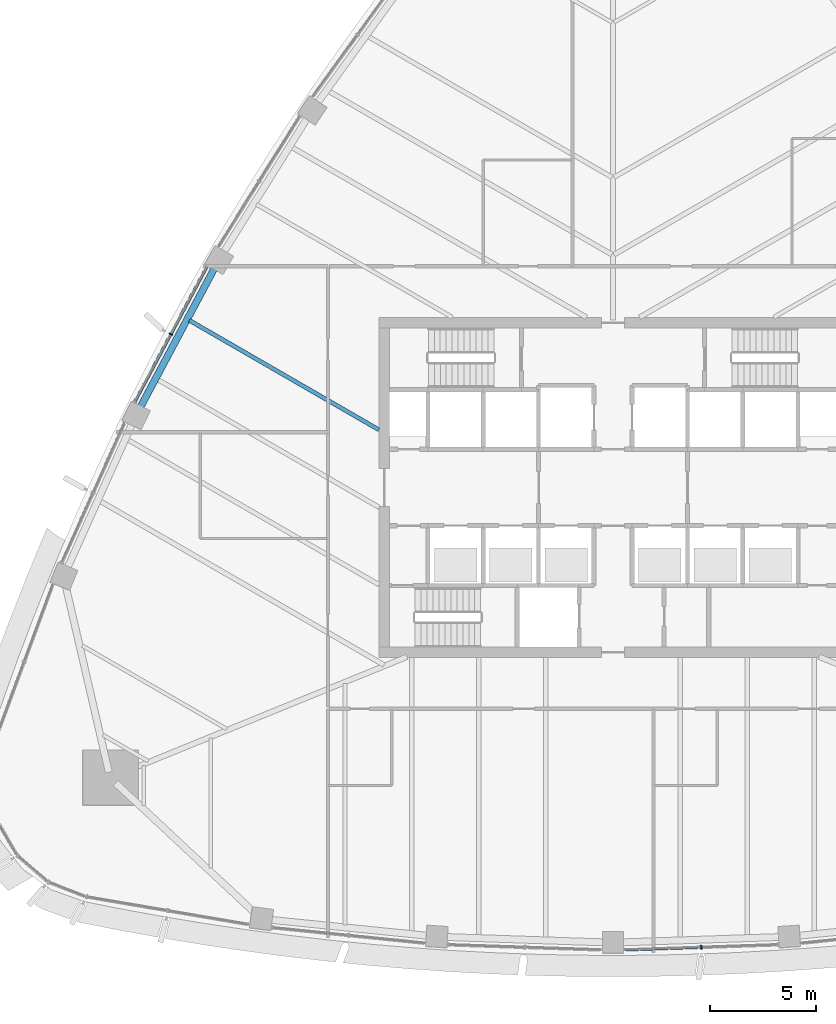
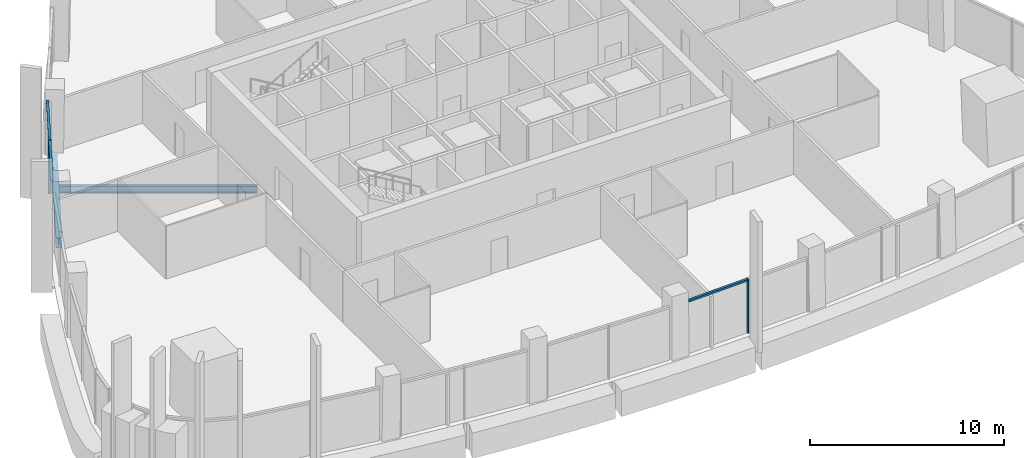
# One storey, part 3 of 19: 5 members, 2 beams, 2 elements without a shape of their own.
"""IFC4 building model written with IfcOpenShell, lengths in metres."""

from ifc_helpers import new_model, si_unit, direction, frame, origin, origin_2d, place, context, subcontext, project, spatial, rectangle, i_section, extrude, material, layer, layer_set, material_profile, profile_set, type_object, element, aggregate, save


model = new_model("IFC4")

# Units and contexts
model_context = context("Model", 3, precision=1e-05, world=origin(), true_north=direction((0.0, 1.0)))
body_context = subcontext(model_context, "Body", "Model", "MODEL_VIEW")
ifc_project = project(units=[si_unit("LENGTHUNIT", "METRE"), si_unit("AREAUNIT", "SQUARE_METRE"), si_unit("VOLUMEUNIT", "CUBIC_METRE"), si_unit("PLANEANGLEUNIT", "RADIAN"), si_unit("MASSUNIT", "GRAM", prefix="KILO")], contexts=[model_context])

# Site, building, storey
site_placement = place(None, origin())
site = spatial("IfcSite", under=ifc_project, at=site_placement, CompositionType="ELEMENT")
building_placement = place(site_placement, origin())
building = spatial("IfcBuilding", under=site, at=building_placement, Name="Sierra Prisma Convention Tower", CompositionType="ELEMENT")
storey_placement = place(building_placement, frame((0.0, 0.0, 177.800048828125)))
storey = spatial("IfcBuildingStorey", under=building, at=storey_placement, Name="L39", CompositionType="ELEMENT", Elevation=177.800048828125)

# Curtain wall, member
ifc_material_1 = material(Name="Aluminium and glass curtain wall", Category="aluminium")
ifc_layer = layer(ifc_material_1, 0.179931640625)
ifc_layer_set = layer_set([ifc_layer], Name="CW-1 Plain shaft curtain wall")
curtain_wall_type = type_object("IfcCurtainWallType", Name="CW-1 Plain shaft curtain wall", PredefinedType="NOTDEFINED", material=ifc_layer_set)
curtain_wall_1_placement = place(storey_placement, origin())
curtain_wall_1 = element("IfcCurtainWall", 1, at=curtain_wall_1_placement, inside=storey, type_object=curtain_wall_type, Name="CW-1 S4 L39", PredefinedType="NOTDEFINED")
ifc_material_2 = material(Name="Aluminium 6063-T6 bronze anodised", Category="aluminium")
ifc_material_profile_1 = material_profile(ifc_material_2, rectangle(XDim=0.179931640625, YDim=0.070068359375, at=origin_2d()), Name="ALU MULLION 70x180")
ifc_profile_set_1 = profile_set([ifc_material_profile_1], Name="Aluminium 6063-T6 bronze anodised")
member_type_1 = type_object("IfcMemberType", Name="CW mullion bronze", PredefinedType="MULLION", material=ifc_profile_set_1)
member_1_placement = place(storey_placement, frame((4.149169921875, -21.601318359375, 0.0), z_axis=(0.0, 0.0, 1.0), x_axis=(-0.033765856682, 0.999429770881, 0.0)))
member_1 = element("IfcMember", 2, at=member_1_placement, type_object=member_type_1, Name="CW-1 mullion S4.2", PredefinedType="MULLION", context=body_context, shape_type="SweptSolid", body=[
    extrude(rectangle(XDim=0.179931640625, YDim=0.070068359375, at=origin_2d()), origin(), (0.0, 0.0, 1.0), 3.39990234375),
])

curtain_wall_2_placement = place(storey_placement, origin())
curtain_wall_2 = element("IfcCurtainWall", 3, at=curtain_wall_2_placement, inside=storey, type_object=curtain_wall_type, Name="CW-1 NW4 L39", PredefinedType="NOTDEFINED")
member_2_placement = place(storey_placement, frame((-20.78173828125, 7.207275390625, 0.0), z_axis=(0.0, 0.0, 1.0), x_axis=(0.882414499222, -0.470472795773, 0.0)))
member_2 = element("IfcMember", 4, at=member_2_placement, type_object=member_type_1, Name="CW-1 mullion NW4.2", PredefinedType="MULLION", context=body_context, shape_type="SweptSolid", body=[
    extrude(rectangle(XDim=0.179931640625, YDim=0.070068359375, at=origin_2d()), origin(), (0.0, 0.0, 1.0), 3.39990234375),
])

# Member
ifc_material_3 = material(Name="Aluminium 6063-T6 bronze anodised", Category="aluminium")
ifc_material_profile_2 = material_profile(ifc_material_3, rectangle(XDim=0.139892578125, YDim=0.1201171875, at=origin_2d()), Name="ALU TRANSOM 120x140")
ifc_profile_set_2 = profile_set([ifc_material_profile_2], Name="Aluminium 6063-T6 bronze anodised")
member_type_2 = type_object("IfcMemberType", Name="CW transom bronze", PredefinedType="USERDEFINED", material=ifc_profile_set_2)
member_3_placement = place(storey_placement, frame((0.569580078125, -21.72216796875, 3.33984375), z_axis=(0.999430992546, 0.033729677412, 0.0), x_axis=(-0.033729677412, 0.999430992546, 0.0)))
member_3 = element("IfcMember", 5, at=member_3_placement, type_object=member_type_2, Name="CW-1 transom S4.1", ObjectType="TRANSOM", PredefinedType="USERDEFINED", context=body_context, shape_type="SweptSolid", body=[
    extrude(rectangle(XDim=0.139892578125, YDim=0.1201171875, at=origin_2d()), origin(), (0.0, 0.0, 1.0), 3.546630859375),
])

aggregate(curtain_wall_1, [member_1, member_3])

member_4_placement = place(storey_placement, frame((-19.0966796875, 10.36767578125, 3.33984375), z_axis=(-0.470520346856, -0.882389144989, 0.0), x_axis=(0.882389144989, -0.470520346856, 0.0)))
member_4 = element("IfcMember", 6, at=member_4_placement, type_object=member_type_2, Name="CW-1 transom NW4.1", ObjectType="TRANSOM", PredefinedType="USERDEFINED", context=body_context, shape_type="SweptSolid", body=[
    extrude(rectangle(XDim=0.139892578125, YDim=0.1201171875, at=origin_2d()), origin(), (0.0, 0.0, 1.0), 3.54638671875),
])

member_5_placement = place(storey_placement, frame((-20.79833984375, 7.176513671875, 3.33984375), z_axis=(-0.470466744818, -0.882417725355, 0.0), x_axis=(0.882417725355, -0.470466744818, 0.0)))
member_5 = element("IfcMember", 7, at=member_5_placement, type_object=member_type_2, Name="CW-1 transom NW4.2", ObjectType="TRANSOM", PredefinedType="USERDEFINED", context=body_context, shape_type="SweptSolid", body=[
    extrude(rectangle(XDim=0.139892578125, YDim=0.1201171875, at=origin_2d()), origin(), (0.0, 0.0, 1.0), 3.54638671875),
])

aggregate(curtain_wall_2, [member_2, member_4, member_5])

# Beams
ifc_material_4 = material(Name="Steel ASTM A992 Gr 50", Category="steel")
ifc_material_profile_3 = material_profile(ifc_material_4, i_section(OverallWidth=0.18994140625, OverallDepth=0.45703125, WebThickness=0.009033203125, FlangeThickness=0.014404296875, at=origin_2d()), Name="W460x74")
ifc_profile_set_3 = profile_set([ifc_material_profile_3], Name="Steel ASTM A992 Gr 50")
beam_type_1 = type_object("IfcBeamType", Name="Floor joist W460x74", PredefinedType="JOIST", material=ifc_profile_set_3)
beam_1_placement = place(storey_placement, frame((-19.911376953125, 7.85693359375, -0.378662109375), z_axis=(0.866023987819, -0.500002452516, 0.0), x_axis=(0.500002452516, 0.866023987819, 0.0)))
element("IfcBeam", 8, at=beam_1_placement, inside=storey, type_object=beam_type_1, Name="Floor joist L39 NW09", PredefinedType="JOIST", context=body_context, shape_type="SweptSolid", body=[
    extrude(i_section(OverallWidth=0.18994140625, OverallDepth=0.45703125, WebThickness=0.009033203125, FlangeThickness=0.014404296875, at=origin_2d()), origin(), (0.0, 0.0, 1.0), 10.2900390625),
])
ifc_material_5 = material(Name="Steel ASTM A992 Gr 50", Category="steel")
ifc_material_profile_4 = material_profile(ifc_material_5, i_section(OverallWidth=0.324951171875, OverallDepth=0.615966796875, WebThickness=0.013916015625, FlangeThickness=0.021484375, at=origin_2d()), Name="W610x174")
ifc_profile_set_4 = profile_set([ifc_material_profile_4], Name="Steel ASTM A992 Gr 50")
beam_type_2 = type_object("IfcBeamType", Name="Spandrel beam W610x174", PredefinedType="BEAM", material=ifc_profile_set_4)
beam_2_placement = place(storey_placement, frame((-18.704345703125, 10.360107421875, -0.4580078125), z_axis=(-0.470490646917, -0.882404981379, 0.0), x_axis=(0.882404981379, -0.470490646917, 0.0)))
element("IfcBeam", 9, at=beam_2_placement, inside=storey, type_object=beam_type_2, Name="Spandrel L39-16", PredefinedType="BEAM", context=body_context, shape_type="SweptSolid", body=[
    extrude(i_section(OverallWidth=0.324951171875, OverallDepth=0.615966796875, WebThickness=0.013916015625, FlangeThickness=0.021484375, at=origin_2d()), origin(), (0.0, 0.0, 1.0), 7.531494140625),
])

save(model, "model.ifc")
